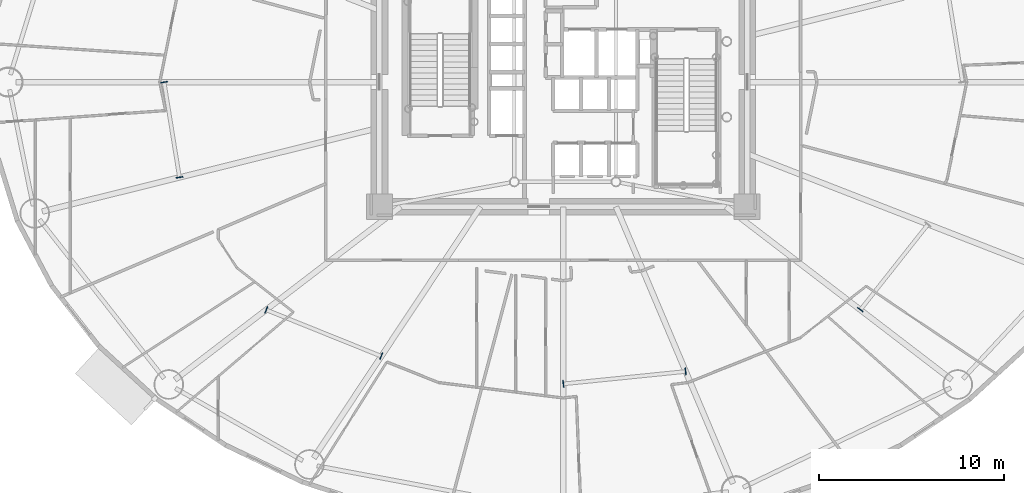
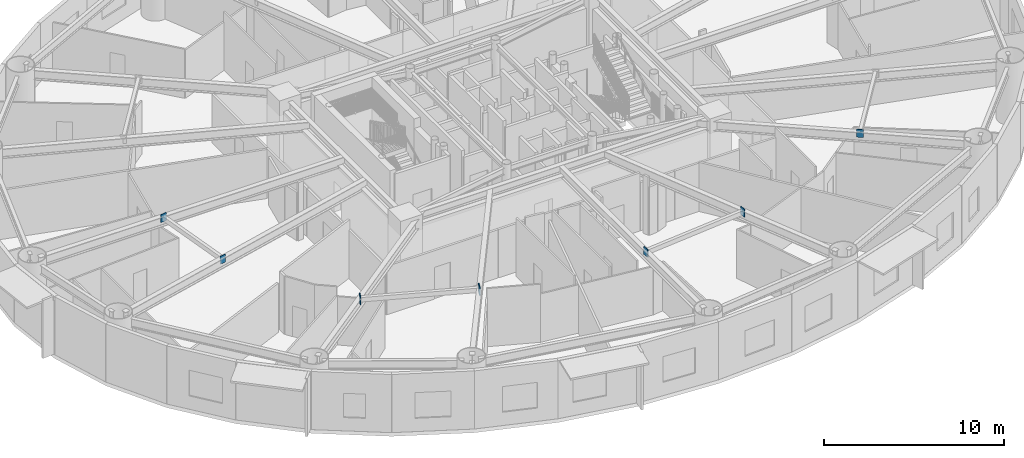
# One storey, part 7 of 24: 7 plates.
"""IFC4 building model written with IfcOpenShell, lengths in metres."""

from ifc_helpers import new_model, si_unit, direction, frame, origin, origin_2d, place, context, subcontext, project, spatial, rectangle, extrude, source, transform, mapped, material, layer, layer_set, type_object, element, save


model = new_model("IFC4")

# Units and contexts
model_context = context("Model", 3, precision=1e-05, world=origin(), true_north=direction((0.0, 1.0)))
body_context = subcontext(model_context, "Body", "Model", "MODEL_VIEW")
ifc_project = project(units=[si_unit("LENGTHUNIT", "METRE"), si_unit("AREAUNIT", "SQUARE_METRE"), si_unit("VOLUMEUNIT", "CUBIC_METRE"), si_unit("PLANEANGLEUNIT", "RADIAN"), si_unit("MASSUNIT", "GRAM", prefix="KILO")], contexts=[model_context])

# Site, building, storey
site_placement = place(None, origin())
site = spatial("IfcSite", under=ifc_project, at=site_placement, CompositionType="ELEMENT")
building_placement = place(site_placement, origin())
building = spatial("IfcBuilding", under=site, at=building_placement, Name="Linh Dai School and Residence Tower", CompositionType="ELEMENT")
storey_placement = place(building_placement, frame((0.0, 0.0, 74.39990234375)))
storey = spatial("IfcBuildingStorey", under=building, at=storey_placement, Name="L17", CompositionType="ELEMENT", Elevation=74.39990234375)

# Plates
ifc_material = material(Name="Structural Steel S355JR", Category="steel")
ifc_layer = layer(ifc_material, 0.0400390625)
ifc_layer_set = layer_set([ifc_layer], Name="Structural Steel S355JR")
plate_type = type_object("IfcPlateType", Name="PLT-GP1", PredefinedType="USERDEFINED", material=ifc_layer_set)
shared_shape = source(origin(), body_context, "Body", "SweptSolid", [
    extrude(rectangle(XDim=0.0400390625, YDim=0.3798828125, at=origin_2d()), origin(), (0.0, 0.0, 1.0), 0.5400390625),
])
for number, where, z_axis, x_axis, name in (
    (1, (14.392822265625, 26.9951171875, 3.530029296875), (0.0, 0.0, 1.0), (0.159659022119, -0.987172222389, 0.0), "L17 Secondary Beam End Plate 05A"),
    (2, (15.225830078125, 21.84375, 3.530029296875), (0.0, 0.0, 1.0), (0.159659022119, -0.987172222389, 0.0), "L17 Secondary Beam End Plate 05B"),
    (3, (19.921875, 14.6689453125, 3.530029296875), (0.0, 0.0, 1.0), (0.927536459105, -0.373732681245, 0.0), "L17 Secondary Beam End Plate 06A"),
    (4, (26.1455078125, 12.161376953125, 3.530029296875), (0.0, 0.0, 1.0), (0.927536459105, -0.373732681245, 0.0), "L17 Secondary Beam End Plate 06B"),
    (5, (36.0048828125, 10.6630859375, 3.530029296875), (0.0, 0.0, 1.0), (0.994884100574, 0.101022900497, 0.0), "L17 Secondary Beam End Plate 07A"),
    (6, (42.621826171875, 11.3349609375, 3.530029296875), (0.0, 0.0, 1.0), (0.994884100574, 0.101022900497, 0.0), "L17 Secondary Beam End Plate 07B"),
    (7, (52.085693359375, 14.6748046875, 3.530029296875), (0.0, 0.0, 1.0), (0.620177637481, 0.784461406297, 0.0), "L17 Secondary Beam End Plate 08A"),
):
    element("IfcPlate", number, at=place(storey_placement, frame(where, z_axis=z_axis, x_axis=x_axis)), inside=storey, type_object=plate_type, Name=name, ObjectType="GUSSET PLATE", PredefinedType="USERDEFINED", context=body_context, shape_type="MappedRepresentation", body=[
        mapped(shared_shape, transform((0.0, 0.0, 0.0), x_axis=(1.0, 0.0, 0.0), y_axis=(0.0, 1.0, 0.0), z_axis=(0.0, 0.0, 1.0), scale=1.0)),
    ])

save(model, "model.ifc")
